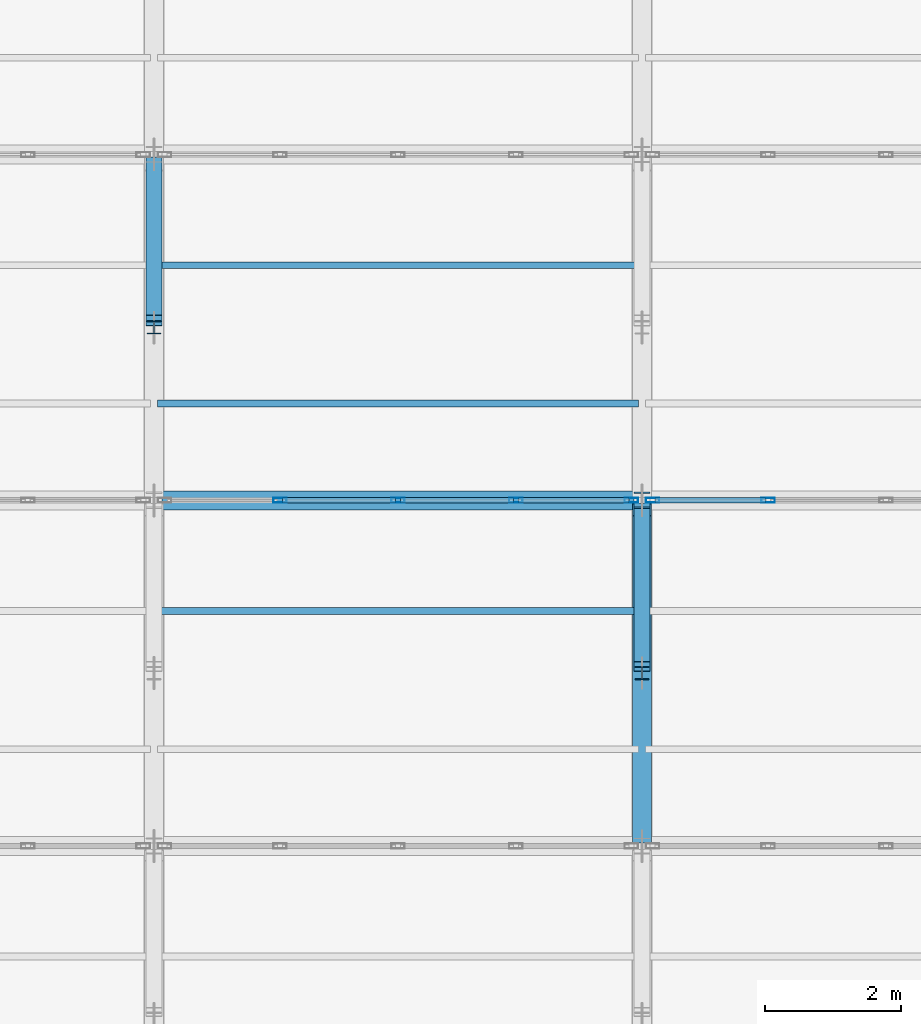
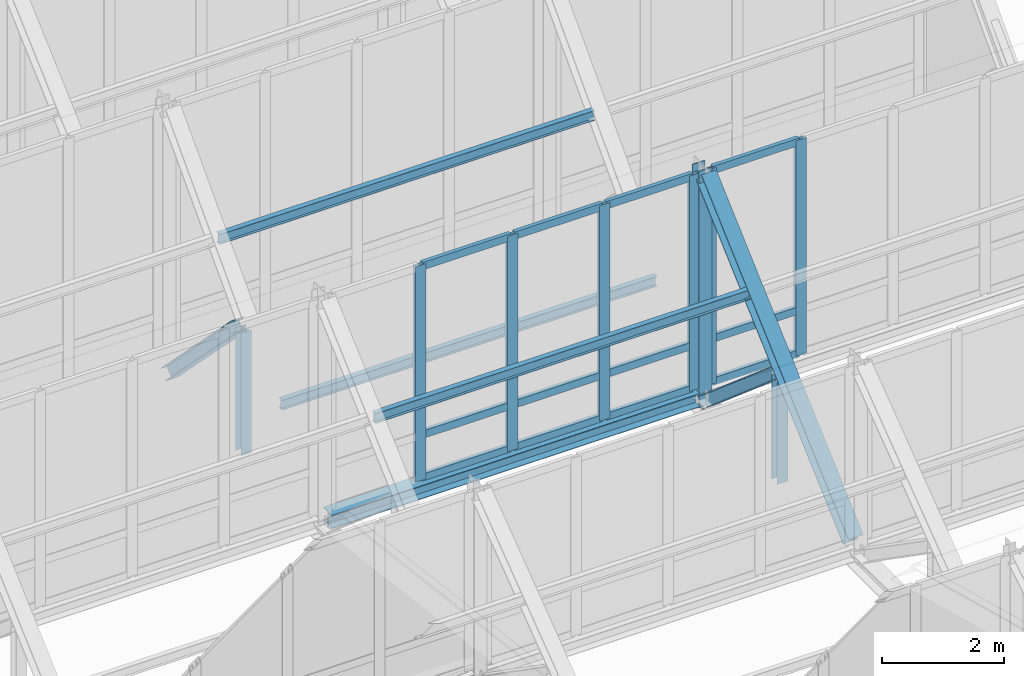
# One storey, part 61 of 157: 27 members, 1 beam, 2 elements without a shape of their own.
"""IFC4 building model written with IfcOpenShell, lengths in metres."""

from ifc_helpers import new_model, si_unit, direction, frame, origin, origin_2d, place, context, subcontext, project, spatial, hollow_rectangle, i_section, extrude, material, material_profile, profile_set, type_object, element, aggregate, save


model = new_model("IFC4")

# Units and contexts
model_context = context("Model", 3, precision=1e-05, world=origin(), true_north=direction((0.0, 1.0)))
body_context = subcontext(model_context, "Body", "Model", "MODEL_VIEW")
ifc_project = project(units=[si_unit("LENGTHUNIT", "METRE"), si_unit("AREAUNIT", "SQUARE_METRE"), si_unit("VOLUMEUNIT", "CUBIC_METRE"), si_unit("PLANEANGLEUNIT", "RADIAN"), si_unit("MASSUNIT", "GRAM", prefix="KILO")], contexts=[model_context])

# Site, building, storey
site_placement = place(None, origin())
site = spatial("IfcSite", under=ifc_project, at=site_placement, CompositionType="ELEMENT")
building_placement = place(site_placement, origin())
building = spatial("IfcBuilding", under=site, at=building_placement, Name="Suanplinth Sawtooth Commons", CompositionType="ELEMENT")
storey_placement = place(building_placement, frame((0.0, 0.0, 9.0)))
storey = spatial("IfcBuildingStorey", under=building, at=storey_placement, Name="L02", CompositionType="ELEMENT", Elevation=9.0)

# Beam
ifc_material_1 = material(Name="Steel S355JR", Category="steel")
ifc_material_profile_1 = material_profile(ifc_material_1, i_section(OverallWidth=0.280029296875, OverallDepth=0.27001953125, WebThickness=0.008056640625, FlangeThickness=0.012939453125, at=origin_2d()), Name="HEA 280")
ifc_profile_set_1 = profile_set([ifc_material_profile_1], Name="Steel S355JR")
beam_type = type_object("IfcBeamType", Name="B-16", PredefinedType="USERDEFINED", material=ifc_profile_set_1)
beam_placement = place(storey_placement, frame((100.919921875, 65.699951171875, 2.820068359375), z_axis=(1.0, 0.0, 0.0), x_axis=(0.0, 1.0, 0.0)))
element("IfcBeam", 1, at=beam_placement, inside=storey, type_object=beam_type, Name="Sawtooth Valley Girder T4-B6", ObjectType="GIRDER", PredefinedType="USERDEFINED", context=body_context, shape_type="SweptSolid", body=[
    extrude(i_section(OverallWidth=0.280029296875, OverallDepth=0.27001953125, WebThickness=0.008056640625, FlangeThickness=0.012939453125, at=origin_2d()), origin(), (0.0, 0.0, 1.0), 6.9599609375),
])

# Members
ifc_material_profile_2 = material_profile(ifc_material_1, i_section(OverallWidth=0.280029296875, OverallDepth=0.280029296875, WebThickness=0.010498046875, FlangeThickness=0.01806640625, at=origin_2d()), Name="HEB 280")
ifc_profile_set_2 = profile_set([ifc_material_profile_2], Name="Steel S355JR")
member_type_1 = type_object("IfcMemberType", Name="M-02", PredefinedType="CHORD", material=ifc_profile_set_2)
member_1_placement = place(storey_placement, frame((108.0, 60.739990234375, 2.919921875), z_axis=(0.0, 0.740839311711, 0.671682301556), x_axis=(-1.0, 0.0, 0.0)))
element("IfcMember", 2, at=member_1_placement, inside=storey, type_object=member_type_1, Name="Sawtooth Truss T7 Top Chord 3", PredefinedType="CHORD", context=body_context, shape_type="SweptSolid", body=[
    extrude(i_section(OverallWidth=0.280029296875, OverallDepth=0.280029296875, WebThickness=0.010498046875, FlangeThickness=0.01806640625, at=origin_2d()), origin(), (0.0, 0.0, 1.0), 6.50634765625),
])
ifc_material_profile_3 = material_profile(ifc_material_1, i_section(OverallWidth=0.239990234375, OverallDepth=0.22998046875, WebThickness=0.007568359375, FlangeThickness=0.011962890625, at=origin_2d()), Name="HEA 240")
ifc_profile_set_3 = profile_set([ifc_material_profile_3], Name="Steel S355JR")
member_type_2 = type_object("IfcMemberType", Name="M-03", PredefinedType="BRACE", material=ifc_profile_set_3)
member_2_placement = place(storey_placement, frame((100.800048828125, 68.35009765625, 5.1201171875), z_axis=(0.0, 0.701020432133, -0.713141187797), x_axis=(-1.0, 0.0, 0.0)))
element("IfcMember", 3, at=member_2_placement, inside=storey, type_object=member_type_2, Name="Sawtooth Truss T6 Web Diagonal 4", PredefinedType="BRACE", context=body_context, shape_type="SweptSolid", body=[
    extrude(i_section(OverallWidth=0.239990234375, OverallDepth=0.22998046875, WebThickness=0.007568359375, FlangeThickness=0.011962890625, at=origin_2d()), origin(), (0.0, 0.0, 1.0), 3.323486328125),
])
member_3_placement = place(storey_placement, frame((108.0, 63.25, 4.7451171875), z_axis=(0.0, 0.759593581641, -0.65039802485), x_axis=(-1.0, 0.0, 0.0)))
element("IfcMember", 4, at=member_3_placement, inside=storey, type_object=member_type_2, Name="Sawtooth Truss T7 Web Diagonal 3", PredefinedType="BRACE", context=body_context, shape_type="SweptSolid", body=[
    extrude(i_section(OverallWidth=0.239990234375, OverallDepth=0.22998046875, WebThickness=0.007568359375, FlangeThickness=0.011962890625, at=origin_2d()), origin(), (0.0, 0.0, 1.0), 3.067626953125),
])
ifc_material_profile_4 = material_profile(ifc_material_1, i_section(OverallWidth=0.199951171875, OverallDepth=0.18994140625, WebThickness=0.006591796875, FlangeThickness=0.010009765625, at=origin_2d()), Name="HEA 200")
ifc_profile_set_4 = profile_set([ifc_material_profile_4], Name="Steel S355JR")
member_type_3 = type_object("IfcMemberType", Name="M-04", PredefinedType="BRACE", material=ifc_profile_set_4)
member_4_placement = place(storey_placement, frame((100.800048828125, 68.25, 2.64990234375), z_axis=(0.0, 0.0, 1.0), x_axis=(1.0, 0.0, 0.0)))
element("IfcMember", 5, at=member_4_placement, inside=storey, type_object=member_type_3, Name="Sawtooth Truss T6 Mid Web Post 4", PredefinedType="BRACE", context=body_context, shape_type="SweptSolid", body=[
    extrude(i_section(OverallWidth=0.199951171875, OverallDepth=0.18994140625, WebThickness=0.006591796875, FlangeThickness=0.010009765625, at=origin_2d()), origin(), (0.0, 0.0, 1.0), 2.4501953125),
])
member_5_placement = place(storey_placement, frame((108.0, 63.14990234375, 2.64990234375), z_axis=(0.0, 0.0, 1.0), x_axis=(1.0, 0.0, 0.0)))
element("IfcMember", 6, at=member_5_placement, inside=storey, type_object=member_type_3, Name="Sawtooth Truss T7 Mid Web Post 3", PredefinedType="BRACE", context=body_context, shape_type="SweptSolid", body=[
    extrude(i_section(OverallWidth=0.199951171875, OverallDepth=0.18994140625, WebThickness=0.006591796875, FlangeThickness=0.010009765625, at=origin_2d()), origin(), (0.0, 0.0, 1.0), 2.0751953125),
])
ifc_material_profile_5 = material_profile(ifc_material_1, i_section(OverallWidth=0.239990234375, OverallDepth=0.239990234375, WebThickness=0.010009765625, FlangeThickness=0.01708984375, at=origin_2d()), Name="HEB 240")
ifc_profile_set_5 = profile_set([ifc_material_profile_5], Name="Steel S355JR")
member_type_4 = type_object("IfcMemberType", Name="M-05", PredefinedType="POST", material=ifc_profile_set_5)
member_6_placement = place(storey_placement, frame((108.0, 65.699951171875, 2.64990234375), z_axis=(0.0, 0.0, 1.0), x_axis=(1.0, 0.0, 0.0)))
element("IfcMember", 7, at=member_6_placement, inside=storey, type_object=member_type_4, Name="Sawtooth Truss T7 Clerestory Post 3", PredefinedType="POST", context=body_context, shape_type="SweptSolid", body=[
    extrude(i_section(OverallWidth=0.239990234375, OverallDepth=0.239990234375, WebThickness=0.010009765625, FlangeThickness=0.01708984375, at=origin_2d()), origin(), (0.0, 0.0, 1.0), 4.739990234375),
])
ifc_material_2 = material(Name="Steel SS400", Category="steel")
ifc_material_profile_6 = material_profile(ifc_material_2, i_section(OverallWidth=0.10009765625, OverallDepth=0.199951171875, WebThickness=0.005615234375, FlangeThickness=0.008544921875, at=origin_2d()), Name="IPE 200")
ifc_profile_set_6 = profile_set([ifc_material_profile_6], Name="Steel SS400")
member_type_5 = type_object("IfcMemberType", Name="M-06", PredefinedType="PURLIN", material=ifc_profile_set_6)
for number, where, z_axis, x_axis, name in (
    (8, (100.85009765625, 64.068115234375, 5.84716796875), (1.0, 0.0, 0.0), (0.0, 1.0, 0.0), "Sawtooth Roof Purlin T3-B6-P2"),
    (9, (100.85009765625, 67.1279296875, 4.2587890625), (1.0, 0.0, 0.0), (0.0, 1.0, 0.0), "Sawtooth Roof Purlin T4-B6-P1"),
    (10, (100.85009765625, 69.16796875, 6.3388671875), (1.0, 0.0, 0.0), (0.0, 1.0, 0.0), "Sawtooth Roof Purlin T4-B6-P2"),
):
    element("IfcMember", number, at=place(storey_placement, frame(where, z_axis=z_axis, x_axis=x_axis)), inside=storey, type_object=member_type_5, Name=name, PredefinedType="PURLIN", context=body_context, shape_type="SweptSolid", body=[
        extrude(i_section(OverallWidth=0.10009765625, OverallDepth=0.199951171875, WebThickness=0.005615234375, FlangeThickness=0.008544921875, at=origin_2d()), origin(), (0.0, 0.0, 1.0), 7.099853515625),
    ])

# Curtain wall, members
ifc_material_3 = material(Name="Anodized aluminium and low-E glazing", Category="aluminium")
curtain_wall_type = type_object("IfcCurtainWallType", Name="CW-03", PredefinedType="USERDEFINED", material=ifc_material_3)
curtain_wall_1_placement = place(storey_placement, origin())
curtain_wall_1 = element("IfcCurtainWall", 11, at=curtain_wall_1_placement, inside=storey, type_object=curtain_wall_type, Name="Curtain Wall CW-SAW-T3-B6", ObjectType="CURTAIN WALL", PredefinedType="USERDEFINED")
ifc_material_4 = material(Name="Anodized aluminium 6063-T6", Category="aluminium")
ifc_material_profile_7 = material_profile(ifc_material_4, hollow_rectangle(XDim=0.074951171875, YDim=0.199951171875, WallThickness=0.0048828125, at=origin_2d()), Name="ALU-MUL 75x200")
ifc_profile_set_7 = profile_set([ifc_material_profile_7], Name="Anodized aluminium 6063-T6")
member_type_6 = type_object("IfcMemberType", Name="M-14", PredefinedType="MULLION", material=ifc_profile_set_7)
member_7_placement = place(storey_placement, frame((102.659912109375, 65.699951171875, 2.97998046875), z_axis=(0.0, 0.0, 1.0), x_axis=(0.0, 1.0, 0.0)))
member_7 = element("IfcMember", 12, at=member_7_placement, type_object=member_type_6, Name="CW-03 mullion 2", PredefinedType="MULLION", context=body_context, shape_type="SweptSolid", body=[
    extrude(hollow_rectangle(XDim=0.074951171875, YDim=0.199951171875, WallThickness=0.0048828125, at=origin_2d()), origin(), (0.0, 0.0, 1.0), 4.31005859375),
])
member_8_placement = place(storey_placement, frame((104.39990234375, 65.699951171875, 2.97998046875), z_axis=(0.0, 0.0, 1.0), x_axis=(0.0, 1.0, 0.0)))
member_8 = element("IfcMember", 13, at=member_8_placement, type_object=member_type_6, Name="CW-03 mullion 3", PredefinedType="MULLION", context=body_context, shape_type="SweptSolid", body=[
    extrude(hollow_rectangle(XDim=0.074951171875, YDim=0.199951171875, WallThickness=0.0048828125, at=origin_2d()), origin(), (0.0, 0.0, 1.0), 4.31005859375),
])
member_9_placement = place(storey_placement, frame((106.139892578125, 65.699951171875, 2.97998046875), z_axis=(0.0, 0.0, 1.0), x_axis=(0.0, 1.0, 0.0)))
member_9 = element("IfcMember", 14, at=member_9_placement, type_object=member_type_6, Name="CW-03 mullion 4", PredefinedType="MULLION", context=body_context, shape_type="SweptSolid", body=[
    extrude(hollow_rectangle(XDim=0.074951171875, YDim=0.199951171875, WallThickness=0.0048828125, at=origin_2d()), origin(), (0.0, 0.0, 1.0), 4.31005859375),
])
member_10_placement = place(storey_placement, frame((107.842529296875, 65.699951171875, 2.97998046875), z_axis=(0.0, 0.0, 1.0), x_axis=(0.0, 1.0, 0.0)))
member_10 = element("IfcMember", 15, at=member_10_placement, type_object=member_type_6, Name="CW-03 mullion 5", PredefinedType="MULLION", context=body_context, shape_type="SweptSolid", body=[
    extrude(hollow_rectangle(XDim=0.074951171875, YDim=0.199951171875, WallThickness=0.0048828125, at=origin_2d()), origin(), (0.0, 0.0, 1.0), 4.31005859375),
])

curtain_wall_2_placement = place(storey_placement, origin())
curtain_wall_2 = element("IfcCurtainWall", 16, at=curtain_wall_2_placement, inside=storey, type_object=curtain_wall_type, Name="Curtain Wall CW-SAW-T3-B7", ObjectType="CURTAIN WALL", PredefinedType="USERDEFINED")
member_11_placement = place(storey_placement, frame((108.157470703125, 65.699951171875, 2.97998046875), z_axis=(0.0, 0.0, 1.0), x_axis=(0.0, 1.0, 0.0)))
member_11 = element("IfcMember", 17, at=member_11_placement, type_object=member_type_6, Name="CW-03 mullion 1", PredefinedType="MULLION", context=body_context, shape_type="SweptSolid", body=[
    extrude(hollow_rectangle(XDim=0.074951171875, YDim=0.199951171875, WallThickness=0.0048828125, at=origin_2d()), origin(), (0.0, 0.0, 1.0), 4.31005859375),
])
member_12_placement = place(storey_placement, frame((109.860107421875, 65.699951171875, 2.97998046875), z_axis=(0.0, 0.0, 1.0), x_axis=(0.0, 1.0, 0.0)))
member_12 = element("IfcMember", 18, at=member_12_placement, type_object=member_type_6, Name="CW-03 mullion 2", PredefinedType="MULLION", context=body_context, shape_type="SweptSolid", body=[
    extrude(hollow_rectangle(XDim=0.074951171875, YDim=0.199951171875, WallThickness=0.0048828125, at=origin_2d()), origin(), (0.0, 0.0, 1.0), 4.31005859375),
])

# Member
ifc_material_profile_8 = material_profile(ifc_material_4, hollow_rectangle(XDim=0.074951171875, YDim=0.14990234375, WallThickness=0.00439453125, at=origin_2d()), Name="ALU-TRN 75x150")
ifc_profile_set_8 = profile_set([ifc_material_profile_8], Name="Anodized aluminium 6063-T6")
member_type_7 = type_object("IfcMemberType", Name="M-16", PredefinedType="USERDEFINED", material=ifc_profile_set_8)
member_13_placement = place(storey_placement, frame((102.697509765625, 65.699951171875, 3.017578125), z_axis=(1.0, 0.0, 0.0), x_axis=(0.0, 1.0, 0.0)))
member_13 = element("IfcMember", 19, at=member_13_placement, type_object=member_type_7, Name="CW-03 transom 2.1", ObjectType="TRANSOM", PredefinedType="USERDEFINED", context=body_context, shape_type="SweptSolid", body=[
    extrude(hollow_rectangle(XDim=0.074951171875, YDim=0.14990234375, WallThickness=0.00439453125, at=origin_2d()), origin(), (0.0, 0.0, 1.0), 1.6650390625),
])

member_14_placement = place(storey_placement, frame((102.697509765625, 65.699951171875, 3.8798828125), z_axis=(1.0, 0.0, 0.0), x_axis=(0.0, 1.0, 0.0)))
member_14 = element("IfcMember", 20, at=member_14_placement, type_object=member_type_7, Name="CW-03 transom 2.2", ObjectType="TRANSOM", PredefinedType="USERDEFINED", context=body_context, shape_type="SweptSolid", body=[
    extrude(hollow_rectangle(XDim=0.074951171875, YDim=0.14990234375, WallThickness=0.00439453125, at=origin_2d()), origin(), (0.0, 0.0, 1.0), 1.6650390625),
])

member_15_placement = place(storey_placement, frame((102.697509765625, 65.699951171875, 7.25244140625), z_axis=(1.0, 0.0, 0.0), x_axis=(0.0, 1.0, 0.0)))
member_15 = element("IfcMember", 21, at=member_15_placement, type_object=member_type_7, Name="CW-03 transom 2.3", ObjectType="TRANSOM", PredefinedType="USERDEFINED", context=body_context, shape_type="SweptSolid", body=[
    extrude(hollow_rectangle(XDim=0.074951171875, YDim=0.14990234375, WallThickness=0.00439453125, at=origin_2d()), origin(), (0.0, 0.0, 1.0), 1.6650390625),
])

member_16_placement = place(storey_placement, frame((104.4375, 65.699951171875, 3.017578125), z_axis=(1.0, 0.0, 0.0), x_axis=(0.0, 1.0, 0.0)))
member_16 = element("IfcMember", 22, at=member_16_placement, type_object=member_type_7, Name="CW-03 transom 3.1", ObjectType="TRANSOM", PredefinedType="USERDEFINED", context=body_context, shape_type="SweptSolid", body=[
    extrude(hollow_rectangle(XDim=0.074951171875, YDim=0.14990234375, WallThickness=0.00439453125, at=origin_2d()), origin(), (0.0, 0.0, 1.0), 1.6650390625),
])

member_17_placement = place(storey_placement, frame((104.4375, 65.699951171875, 3.8798828125), z_axis=(1.0, 0.0, 0.0), x_axis=(0.0, 1.0, 0.0)))
member_17 = element("IfcMember", 23, at=member_17_placement, type_object=member_type_7, Name="CW-03 transom 3.2", ObjectType="TRANSOM", PredefinedType="USERDEFINED", context=body_context, shape_type="SweptSolid", body=[
    extrude(hollow_rectangle(XDim=0.074951171875, YDim=0.14990234375, WallThickness=0.00439453125, at=origin_2d()), origin(), (0.0, 0.0, 1.0), 1.6650390625),
])

member_18_placement = place(storey_placement, frame((104.4375, 65.699951171875, 7.25244140625), z_axis=(1.0, 0.0, 0.0), x_axis=(0.0, 1.0, 0.0)))
member_18 = element("IfcMember", 24, at=member_18_placement, type_object=member_type_7, Name="CW-03 transom 3.3", ObjectType="TRANSOM", PredefinedType="USERDEFINED", context=body_context, shape_type="SweptSolid", body=[
    extrude(hollow_rectangle(XDim=0.074951171875, YDim=0.14990234375, WallThickness=0.00439453125, at=origin_2d()), origin(), (0.0, 0.0, 1.0), 1.6650390625),
])

member_19_placement = place(storey_placement, frame((106.177490234375, 65.699951171875, 3.017578125), z_axis=(1.0, 0.0, 0.0), x_axis=(0.0, 1.0, 0.0)))
member_19 = element("IfcMember", 25, at=member_19_placement, type_object=member_type_7, Name="CW-03 transom 4.1", ObjectType="TRANSOM", PredefinedType="USERDEFINED", context=body_context, shape_type="SweptSolid", body=[
    extrude(hollow_rectangle(XDim=0.074951171875, YDim=0.14990234375, WallThickness=0.00439453125, at=origin_2d()), origin(), (0.0, 0.0, 1.0), 1.62744140625),
])

member_20_placement = place(storey_placement, frame((106.177490234375, 65.699951171875, 3.8798828125), z_axis=(1.0, 0.0, 0.0), x_axis=(0.0, 1.0, 0.0)))
member_20 = element("IfcMember", 26, at=member_20_placement, type_object=member_type_7, Name="CW-03 transom 4.2", ObjectType="TRANSOM", PredefinedType="USERDEFINED", context=body_context, shape_type="SweptSolid", body=[
    extrude(hollow_rectangle(XDim=0.074951171875, YDim=0.14990234375, WallThickness=0.00439453125, at=origin_2d()), origin(), (0.0, 0.0, 1.0), 1.62744140625),
])

member_21_placement = place(storey_placement, frame((106.177490234375, 65.699951171875, 7.25244140625), z_axis=(1.0, 0.0, 0.0), x_axis=(0.0, 1.0, 0.0)))
member_21 = element("IfcMember", 27, at=member_21_placement, type_object=member_type_7, Name="CW-03 transom 4.3", ObjectType="TRANSOM", PredefinedType="USERDEFINED", context=body_context, shape_type="SweptSolid", body=[
    extrude(hollow_rectangle(XDim=0.074951171875, YDim=0.14990234375, WallThickness=0.00439453125, at=origin_2d()), origin(), (0.0, 0.0, 1.0), 1.62744140625),
])

aggregate(curtain_wall_1, [member_7, member_8, member_9, member_10, member_13, member_14, member_15, member_16, member_17, member_18, member_19, member_20, member_21])

member_22_placement = place(storey_placement, frame((108.195068359375, 65.699951171875, 3.017578125), z_axis=(1.0, 0.0, 0.0), x_axis=(0.0, 1.0, 0.0)))
member_22 = element("IfcMember", 28, at=member_22_placement, type_object=member_type_7, Name="CW-03 transom 1.1", ObjectType="TRANSOM", PredefinedType="USERDEFINED", context=body_context, shape_type="SweptSolid", body=[
    extrude(hollow_rectangle(XDim=0.074951171875, YDim=0.14990234375, WallThickness=0.00439453125, at=origin_2d()), origin(), (0.0, 0.0, 1.0), 1.62744140625),
])

member_23_placement = place(storey_placement, frame((108.195068359375, 65.699951171875, 3.8798828125), z_axis=(1.0, 0.0, 0.0), x_axis=(0.0, 1.0, 0.0)))
member_23 = element("IfcMember", 29, at=member_23_placement, type_object=member_type_7, Name="CW-03 transom 1.2", ObjectType="TRANSOM", PredefinedType="USERDEFINED", context=body_context, shape_type="SweptSolid", body=[
    extrude(hollow_rectangle(XDim=0.074951171875, YDim=0.14990234375, WallThickness=0.00439453125, at=origin_2d()), origin(), (0.0, 0.0, 1.0), 1.62744140625),
])

member_24_placement = place(storey_placement, frame((108.195068359375, 65.699951171875, 7.25244140625), z_axis=(1.0, 0.0, 0.0), x_axis=(0.0, 1.0, 0.0)))
member_24 = element("IfcMember", 30, at=member_24_placement, type_object=member_type_7, Name="CW-03 transom 1.3", ObjectType="TRANSOM", PredefinedType="USERDEFINED", context=body_context, shape_type="SweptSolid", body=[
    extrude(hollow_rectangle(XDim=0.074951171875, YDim=0.14990234375, WallThickness=0.00439453125, at=origin_2d()), origin(), (0.0, 0.0, 1.0), 1.62744140625),
])

aggregate(curtain_wall_2, [member_11, member_12, member_22, member_23, member_24])

save(model, "model.ifc")
